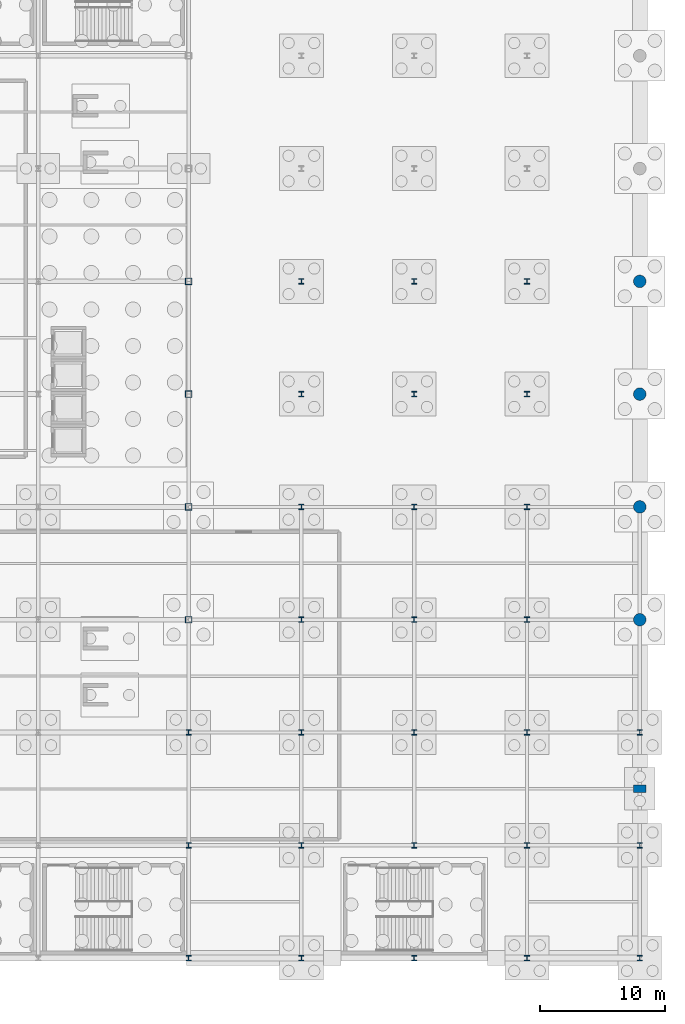
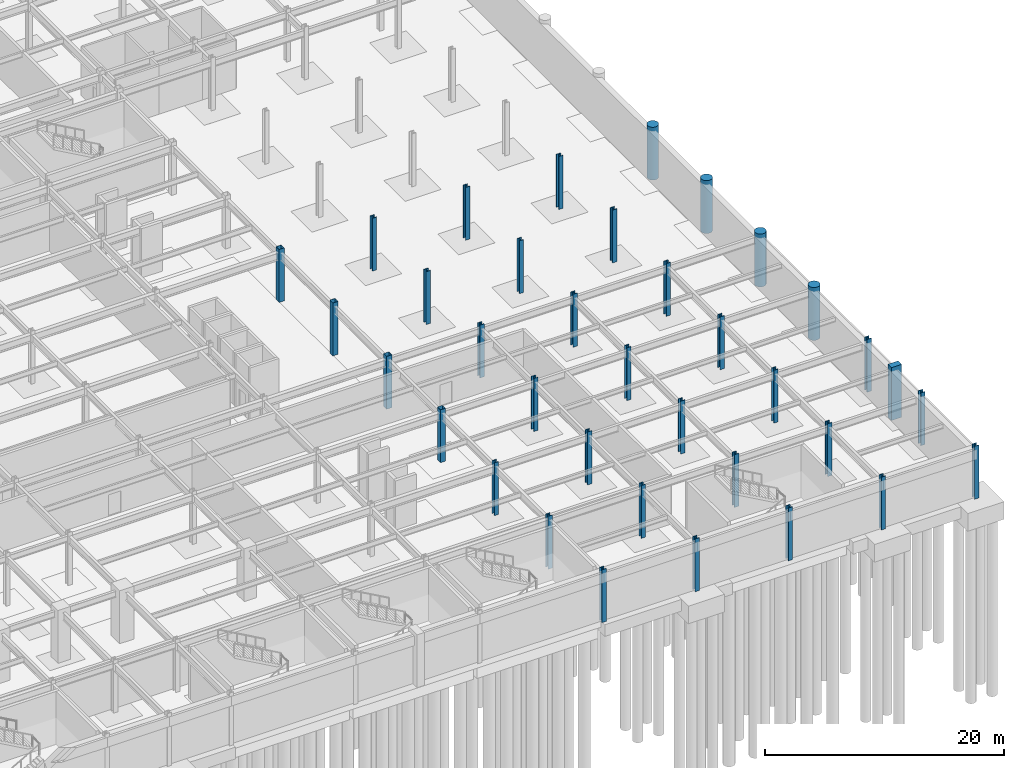
# One storey, part 16 of 47: 36 columns.
"""IFC4 building model written with IfcOpenShell, lengths in metres."""

import ifcopenshell
import ifcopenshell.guid

model = None  # the IFC model being written
_history = None  # IfcOwnerHistory: only IFC2X3 demands one
_inside = {}  # id of a spatial element -> (the spatial element, [elements in it])
_under = {}  # id of a project, library or spatial element -> (it, [spatial elements below it])
_declared = {}  # id of a project -> (the project, [libraries it declares])
_typed = {}  # id of a type object -> (the type object, [elements of that type])
_made_of = {}  # id of a material, layer set ... -> (it, [elements and type objects made of it])


def new_model(schema):
    """Start an empty IFC model of exactly this schema.

    Asked for "IFC4X3", IfcOpenShell would pick the latest addendum, in which some entities
    have other attributes; the version numbers below select the first issue.
    IFC2X3 requires an IfcOwnerHistory on every rooted entity: one is made here for all.
    """
    global model, _history
    if schema == "IFC4X3":
        model = ifcopenshell.file(schema_version=(4, 3, 0, 0))
    else:
        model = ifcopenshell.file(schema=schema)
    _inside.clear()
    _under.clear()
    _declared.clear()
    _typed.clear()
    _made_of.clear()
    _history = None
    if model.schema == "IFC2X3":
        org = make("IfcOrganization", Name="unknown")
        user = make(
            "IfcPersonAndOrganization",
            ThePerson=make("IfcPerson", FamilyName="unknown"),
            TheOrganization=org,
        )
        app = make(
            "IfcApplication",
            ApplicationDeveloper=org,
            Version="unknown",
            ApplicationFullName="unknown",
            ApplicationIdentifier="unknown",
        )
        _history = make(
            "IfcOwnerHistory",
            OwningUser=user,
            OwningApplication=app,
            ChangeAction="ADDED",
            CreationDate=0,
        )
    return model


def make(cls, **values):
    """One entity of the class cls with the attributes given. An attribute that is None is left unset."""
    return model.create_entity(
        cls, **{name: value for name, value in values.items() if value is not None}
    )


def rooted(cls, **values):
    """An entity with a GlobalId (a new one), such as an element, a storey or a relation."""
    return make(cls, GlobalId=ifcopenshell.guid.new(), OwnerHistory=_history, **values)


def si_unit(unit_type, name, prefix=None):
    """IfcSIUnit, for example si_unit("LENGTHUNIT", "METRE", prefix="MILLI")."""
    return make("IfcSIUnit", UnitType=unit_type, Prefix=prefix, Name=name)


def assignment(units):
    """IfcUnitAssignment: the units of a project."""
    return None if units is None else make("IfcUnitAssignment", Units=units)


def point(xyz):
    """IfcCartesianPoint."""
    return None if xyz is None else make("IfcCartesianPoint", Coordinates=xyz)


def direction(xyz):
    """IfcDirection."""
    return None if xyz is None else make("IfcDirection", DirectionRatios=xyz)


def frame(location, z_axis=None, x_axis=None):
    """IfcAxis2Placement3D, a coordinate frame: its origin and axes. An axis left out is left unset."""
    return make(
        "IfcAxis2Placement3D",
        Location=point(location),
        Axis=direction(z_axis),
        RefDirection=direction(x_axis),
    )


def frame_2d(location, x_axis=None):
    """IfcAxis2Placement2D, a coordinate frame in the plane: its origin and x axis."""
    return make(
        "IfcAxis2Placement2D", Location=point(location), RefDirection=direction(x_axis)
    )


def origin():
    """The frame at (0, 0, 0) with its axes left unset."""
    return frame((0.0, 0.0, 0.0))


def origin_2d():
    """The frame at (0, 0) in the plane with its x axis left unset."""
    return frame_2d((0.0, 0.0))


def place(relative_to, where):
    """IfcLocalPlacement: puts the frame where relative to a parent placement (None: the world)."""
    return make(
        "IfcLocalPlacement", PlacementRelTo=relative_to, RelativePlacement=where
    )


def context(
    kind, dimensions, precision=None, world=None, true_north=None, identifier=None
):
    """IfcGeometricRepresentationContext, for example the 3D "Model" context."""
    return make(
        "IfcGeometricRepresentationContext",
        ContextIdentifier=identifier,
        ContextType=kind,
        CoordinateSpaceDimension=dimensions,
        Precision=precision,
        WorldCoordinateSystem=world,
        TrueNorth=true_north,
    )


def subcontext(parent, identifier, kind, view, scale=None):
    """IfcGeometricRepresentationSubContext, for example "Body" below "Model"."""
    return make(
        "IfcGeometricRepresentationSubContext",
        ContextIdentifier=identifier,
        ContextType=kind,
        ParentContext=parent,
        TargetScale=scale,
        TargetView=view,
    )


def project(units=None, contexts=None):
    """IfcProject with its units and contexts."""
    return rooted(
        "IfcProject",
        Name="project",
        RepresentationContexts=contexts,
        UnitsInContext=assignment(units),
    )


def spatial(cls, under=None, at=None, **own):
    """A site, building, storey or space (cls), placed at a placement, below another one or the project."""
    s = rooted(cls, ObjectPlacement=at, **own)
    if under is not None:
        _under.setdefault(under.id(), (under, []))[1].append(s)
    return s


def profile(cls, at=None, kind="AREA", **sizes):
    """A parametric profile (cls). Its sizes go by their IFC names, for example OverallWidth=200.0."""
    return make(cls, ProfileType=kind, Position=at, **sizes)


def rectangle(**sizes):
    """IfcRectangleProfileDef."""
    return profile("IfcRectangleProfileDef", **sizes)


def hollow_rectangle(**sizes):
    """IfcRectangleHollowProfileDef."""
    return profile("IfcRectangleHollowProfileDef", **sizes)


def circle(**sizes):
    """IfcCircleProfileDef."""
    return profile("IfcCircleProfileDef", **sizes)


def i_section(**sizes):
    """IfcIShapeProfileDef."""
    return profile("IfcIShapeProfileDef", **sizes)


def extrude(swept, where, along, depth):
    """IfcExtrudedAreaSolid: the profile swept, set in the frame where, extruded along a direction by depth."""
    return make(
        "IfcExtrudedAreaSolid",
        SweptArea=swept,
        Position=where,
        ExtrudedDirection=direction(along),
        Depth=depth,
    )


def shape(context_of_items, identifier, shape_type, items):
    """IfcShapeRepresentation: the items that make up one representation, for example the "Body"."""
    return make(
        "IfcShapeRepresentation",
        ContextOfItems=context_of_items,
        RepresentationIdentifier=identifier,
        RepresentationType=shape_type,
        Items=items,
    )


def material(Name=None, Category=None):
    """IfcMaterial."""
    return make("IfcMaterial", Name=Name, Category=Category)


def material_profile(
    of_material, cross_section, Name=None, Category=None, Priority=None
):
    """IfcMaterialProfile: a cross section and its material."""
    return make(
        "IfcMaterialProfile",
        Name=Name,
        Material=of_material,
        Profile=cross_section,
        Priority=Priority,
        Category=Category,
    )


def profile_set(profiles, Name=None, composite=None):
    """IfcMaterialProfileSet."""
    return make(
        "IfcMaterialProfileSet",
        Name=Name,
        MaterialProfiles=profiles,
        CompositeProfile=composite,
    )


def made_of(thing, what):
    """Note that an element or type object is made of a material, layer set ...; save() writes the relation."""
    if what is not None:
        _made_of.setdefault(what.id(), (what, []))[1].append(thing)
    return thing


def type_object(cls, material=None, **own):
    """A type object (cls), such as IfcWallType, which elements share."""
    return made_of(rooted(cls, **own), material)


def element(
    cls,
    number,
    at=None,
    inside=None,
    cuts=None,
    type_object=None,
    material=None,
    context=None,
    identifier="Body",
    shape_type=None,
    held_by="IfcProductDefinitionShape",
    body=None,
    shapes=None,
    **own,
):
    """One element of the class cls, such as IfcWall. Its Tag is "e" and its number.

    at: its placement. inside: the storey or other place that contains it. cuts: it is an
    opening in that element (IfcRelVoidsElement). A single representation is given by context,
    identifier, shape_type and body (its items); several are given by shapes. held_by: the class
    of the entity that holds the representations. save() writes the other relations.
    """
    e = rooted(cls, Tag="e%d" % number, ObjectPlacement=at, **own)
    if body is not None:
        shapes = [shape(context, identifier, shape_type, body)]
    if shapes is not None:
        e.Representation = make(held_by, Representations=shapes)
    if inside is not None:
        _inside.setdefault(inside.id(), (inside, []))[1].append(e)
    if cuts is not None:
        rooted(
            "IfcRelVoidsElement", RelatingBuildingElement=cuts, RelatedOpeningElement=e
        )
    if type_object is not None:
        _typed.setdefault(type_object.id(), (type_object, []))[1].append(e)
    return made_of(e, material)


def aggregate(whole, parts):
    """IfcRelAggregates: a whole, such as a stair, and the parts it consists of."""
    return rooted("IfcRelAggregates", RelatingObject=whole, RelatedObjects=parts)


def save(model, path):
    """Write the relations noted so far, then the file.

    IfcRelAggregates (storeys below a building ...), IfcRelContainedInSpatialStructure (elements
    in a storey), IfcRelDefinesByType, IfcRelAssociatesMaterial and IfcRelDeclares: one each for
    every whole, place, type object, material and project.
    """
    for whole, parts in _under.values():
        aggregate(whole, parts)
    for where, things in _inside.values():
        rooted(
            "IfcRelContainedInSpatialStructure",
            RelatedElements=things,
            RelatingStructure=where,
        )
    for kind, things in _typed.values():
        rooted("IfcRelDefinesByType", RelatedObjects=things, RelatingType=kind)
    for what, things in _made_of.values():
        rooted("IfcRelAssociatesMaterial", RelatedObjects=things, RelatingMaterial=what)
    for by, libraries in _declared.values():
        rooted("IfcRelDeclares", RelatingContext=by, RelatedDefinitions=libraries)
    model.write(path)


model = new_model("IFC4")

# Units and contexts
model_context = context("Model", 3, precision=1e-05, world=origin(), true_north=direction((0.0, 1.0)))
body_context = subcontext(model_context, "Body", "Model", "MODEL_VIEW")
ifc_project = project(units=[si_unit("LENGTHUNIT", "METRE"), si_unit("AREAUNIT", "SQUARE_METRE"), si_unit("VOLUMEUNIT", "CUBIC_METRE"), si_unit("PLANEANGLEUNIT", "RADIAN"), si_unit("MASSUNIT", "GRAM", prefix="KILO")], contexts=[model_context])

# Site, building, storey
site_placement = place(None, origin())
site = spatial("IfcSite", under=ifc_project, at=site_placement, CompositionType="ELEMENT")
building_placement = place(site_placement, origin())
building = spatial("IfcBuilding", under=site, at=building_placement, Name="Kaldorvane Square Convention Centre", CompositionType="ELEMENT")
storey_placement = place(building_placement, frame((0.0, 0.0, -5.399993896484375)))
storey = spatial("IfcBuildingStorey", under=building, at=storey_placement, Name="B01", CompositionType="ELEMENT", Elevation=-5.399993896484375)

# Columns
ifc_material_1 = material(Name="Steel ASTM A500 Gr. C", Category="steel")
ifc_material_profile_1 = material_profile(ifc_material_1, hollow_rectangle(XDim=0.50799560546875, YDim=0.50799560546875, WallThickness=0.014801025390625, at=origin_2d()), Name="HSS20X20X5/8")
ifc_profile_set_1 = profile_set([ifc_material_profile_1], Name="Steel ASTM A500 Gr. C")
column_type_1 = type_object("IfcColumnType", Name="COL-HSS-20", PredefinedType="COLUMN", material=ifc_profile_set_1)
for number, where, z_axis, x_axis, name in (
    (1, (138.0, 27.0, 0.0), (0.0, 0.0, 1.0), (1.0, 0.0, 0.0), "Column SC-13 (B01)"),
    (2, (138.0, 36.0, 0.0), (0.0, 0.0, 1.0), (1.0, 0.0, 0.0), "Column SC-13 (B01)"),
    (3, (138.0, 45.0, 0.0), (0.0, 0.0, 1.0), (1.0, 0.0, 0.0), "Column SC-13 (B01)"),
    (4, (138.0, 54.0, 0.0), (0.0, 0.0, 1.0), (1.0, 0.0, 0.0), "Column SC-13 (B01)"),
):
    element("IfcColumn", number, at=place(storey_placement, frame(where, z_axis=z_axis, x_axis=x_axis)), inside=storey, type_object=column_type_1, Name=name, PredefinedType="COLUMN", context=body_context, shape_type="SweptSolid", body=[
        extrude(hollow_rectangle(XDim=0.50799560546875, YDim=0.50799560546875, WallThickness=0.014801025390625, at=origin_2d()), origin(), (0.0, 0.0, 1.0), 5.399993896484375),
    ])
ifc_material_2 = material(Name="Concrete f'c = 55 MPa (Normalweight)", Category="concrete")
ifc_material_profile_2 = material_profile(ifc_material_2, circle(Radius=0.5, at=origin_2d()), Name="RC-D1000")
ifc_profile_set_2 = profile_set([ifc_material_profile_2], Name="Concrete f'c = 55 MPa (Normalweight)")
column_type_2 = type_object("IfcColumnType", Name="COL-RC-D1000", PredefinedType="COLUMN", material=ifc_profile_set_2)
for number, where, z_axis, x_axis, name in (
    (5, (174.0, 27.0, 0.0), (0.0, 0.0, 1.0), (1.0, 0.0, 0.0), "Column CC-08 (B01)"),
    (6, (174.0, 36.0, 0.0), (0.0, 0.0, 1.0), (1.0, 0.0, 0.0), "Column CC-08 (B01)"),
    (7, (174.0, 45.0, 0.0), (0.0, 0.0, 1.0), (1.0, 0.0, 0.0), "Column CC-08 (B01)"),
    (8, (174.0, 54.0, 0.0), (0.0, 0.0, 1.0), (1.0, 0.0, 0.0), "Column CC-08 (B01)"),
):
    element("IfcColumn", number, at=place(storey_placement, frame(where, z_axis=z_axis, x_axis=x_axis)), inside=storey, type_object=column_type_2, Name=name, PredefinedType="COLUMN", context=body_context, shape_type="SweptSolid", body=[
        extrude(circle(Radius=0.5, at=origin_2d()), origin(), (0.0, 0.0, 1.0), 5.399993896484375),
    ])
ifc_material_3 = material(Name="Steel ASTM A992 Gr. 50", Category="steel")
ifc_material_profile_3 = material_profile(ifc_material_3, i_section(OverallWidth=0.412200927734375, OverallDepth=0.4347991943359375, WebThickness=0.035797119140625, FlangeThickness=0.057403564453125, FilletRadius=0.0305023193359375, at=origin_2d()), Name="W14X311")
ifc_profile_set_3 = profile_set([ifc_material_profile_3], Name="Steel ASTM A992 Gr. 50")
column_type_3 = type_object("IfcColumnType", Name="COL-STL-311", PredefinedType="COLUMN", material=ifc_profile_set_3)
for number, where, z_axis, x_axis, name in (
    (9, (138.0, 0.0, 0.0), (0.0, 0.0, 1.0), (1.0, 0.0, 0.0), "Column SC-06 (B01)"),
    (10, (138.0, 9.0, 0.0), (0.0, 0.0, 1.0), (1.0, 0.0, 0.0), "Column SC-06 (B01)"),
    (11, (138.0, 18.0, 0.0), (0.0, 0.0, 1.0), (1.0, 0.0, 0.0), "Column SC-06 (B01)"),
    (12, (147.0, 0.0, 0.0), (0.0, 0.0, 1.0), (1.0, 0.0, 0.0), "Column SC-06 (B01)"),
    (13, (147.0, 9.0, 0.0), (0.0, 0.0, 1.0), (1.0, 0.0, 0.0), "Column SC-06 (B01)"),
    (14, (147.0, 18.0, 0.0), (0.0, 0.0, 1.0), (1.0, 0.0, 0.0), "Column SC-06 (B01)"),
    (15, (147.0, 27.0, 0.0), (0.0, 0.0, 1.0), (1.0, 0.0, 0.0), "Column SC-06 (B01)"),
    (16, (147.0, 36.0, 0.0), (0.0, 0.0, 1.0), (1.0, 0.0, 0.0), "Column SC-06 (B01)"),
    (17, (147.0, 45.0, 0.0), (0.0, 0.0, 1.0), (1.0, 0.0, 0.0), "Column SC-06 (B01)"),
    (18, (147.0, 54.0, 0.0), (0.0, 0.0, 1.0), (1.0, 0.0, 0.0), "Column SC-06 (B01)"),
    (19, (156.0, 0.0, 0.0), (0.0, 0.0, 1.0), (1.0, 0.0, 0.0), "Column SC-06 (B01)"),
    (20, (156.0, 9.0, 0.0), (0.0, 0.0, 1.0), (1.0, 0.0, 0.0), "Column SC-06 (B01)"),
    (21, (156.0, 18.0, 0.0), (0.0, 0.0, 1.0), (1.0, 0.0, 0.0), "Column SC-06 (B01)"),
    (22, (156.0, 27.0, 0.0), (0.0, 0.0, 1.0), (1.0, 0.0, 0.0), "Column SC-06 (B01)"),
    (23, (156.0, 36.0, 0.0), (0.0, 0.0, 1.0), (1.0, 0.0, 0.0), "Column SC-06 (B01)"),
    (24, (156.0, 45.0, 0.0), (0.0, 0.0, 1.0), (1.0, 0.0, 0.0), "Column SC-06 (B01)"),
    (25, (156.0, 54.0, 0.0), (0.0, 0.0, 1.0), (1.0, 0.0, 0.0), "Column SC-06 (B01)"),
    (26, (165.0, 0.0, 0.0), (0.0, 0.0, 1.0), (1.0, 0.0, 0.0), "Column SC-06 (B01)"),
    (27, (165.0, 9.0, 0.0), (0.0, 0.0, 1.0), (1.0, 0.0, 0.0), "Column SC-06 (B01)"),
    (28, (165.0, 18.0, 0.0), (0.0, 0.0, 1.0), (1.0, 0.0, 0.0), "Column SC-06 (B01)"),
    (29, (165.0, 27.0, 0.0), (0.0, 0.0, 1.0), (1.0, 0.0, 0.0), "Column SC-06 (B01)"),
    (30, (165.0, 36.0, 0.0), (0.0, 0.0, 1.0), (1.0, 0.0, 0.0), "Column SC-06 (B01)"),
    (31, (165.0, 45.0, 0.0), (0.0, 0.0, 1.0), (1.0, 0.0, 0.0), "Column SC-06 (B01)"),
    (32, (165.0, 54.0, 0.0), (0.0, 0.0, 1.0), (1.0, 0.0, 0.0), "Column SC-06 (B01)"),
    (33, (174.0, 0.0, 0.0), (0.0, 0.0, 1.0), (1.0, 0.0, 0.0), "Column SC-06 (B01)"),
    (34, (174.0, 9.0, 0.0), (0.0, 0.0, 1.0), (1.0, 0.0, 0.0), "Column SC-06 (B01)"),
    (35, (174.0, 18.0, 0.0), (0.0, 0.0, 1.0), (1.0, 0.0, 0.0), "Column SC-06 (B01)"),
):
    element("IfcColumn", number, at=place(storey_placement, frame(where, z_axis=z_axis, x_axis=x_axis)), inside=storey, type_object=column_type_3, Name=name, PredefinedType="COLUMN", context=body_context, shape_type="SweptSolid", body=[
        extrude(i_section(OverallWidth=0.412200927734375, OverallDepth=0.4347991943359375, WebThickness=0.035797119140625, FlangeThickness=0.057403564453125, FilletRadius=0.0305023193359375, at=origin_2d()), origin(), (0.0, 0.0, 1.0), 5.399993896484375),
    ])
ifc_material_profile_4 = material_profile(ifc_material_2, rectangle(XDim=0.600006103515625, YDim=1.0, at=origin_2d()), Name="PIL1000X600")
ifc_profile_set_4 = profile_set([ifc_material_profile_4], Name="Concrete f'c = 55 MPa (Normalweight)")
column_type_4 = type_object("IfcColumnType", Name="PIL-BRUT-1000", PredefinedType="PILASTER", material=ifc_profile_set_4)
column_placement = place(storey_placement, frame((174.0, 13.5, 0.0), z_axis=(0.0, 0.0, 1.0), x_axis=(0.0, 1.0, 0.0)))
element("IfcColumn", 36, at=column_placement, inside=storey, type_object=column_type_4, Name="Brutalist Colonnade Pilaster (B01)", PredefinedType="PILASTER", context=body_context, shape_type="SweptSolid", body=[
    extrude(rectangle(XDim=0.600006103515625, YDim=1.0, at=origin_2d()), origin(), (0.0, 0.0, 1.0), 5.399993896484375),
])

save(model, "model.ifc")
